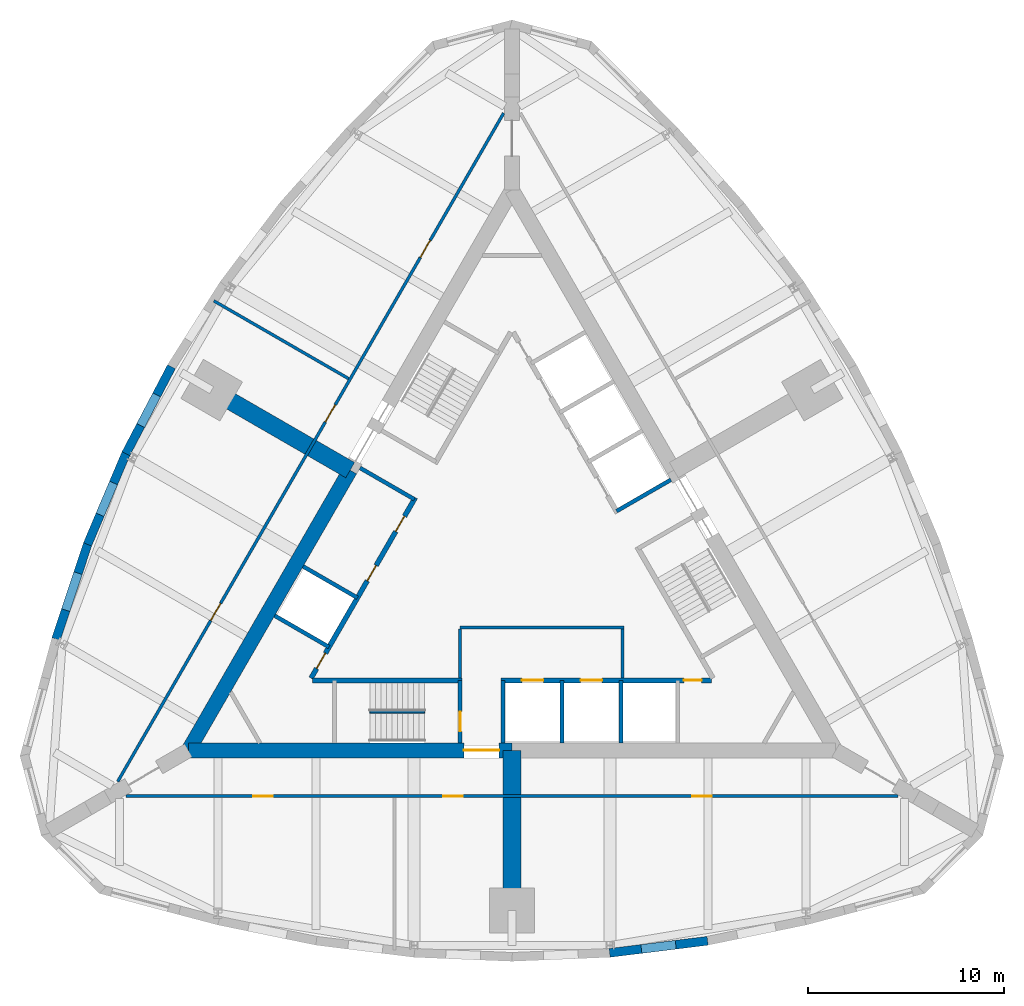
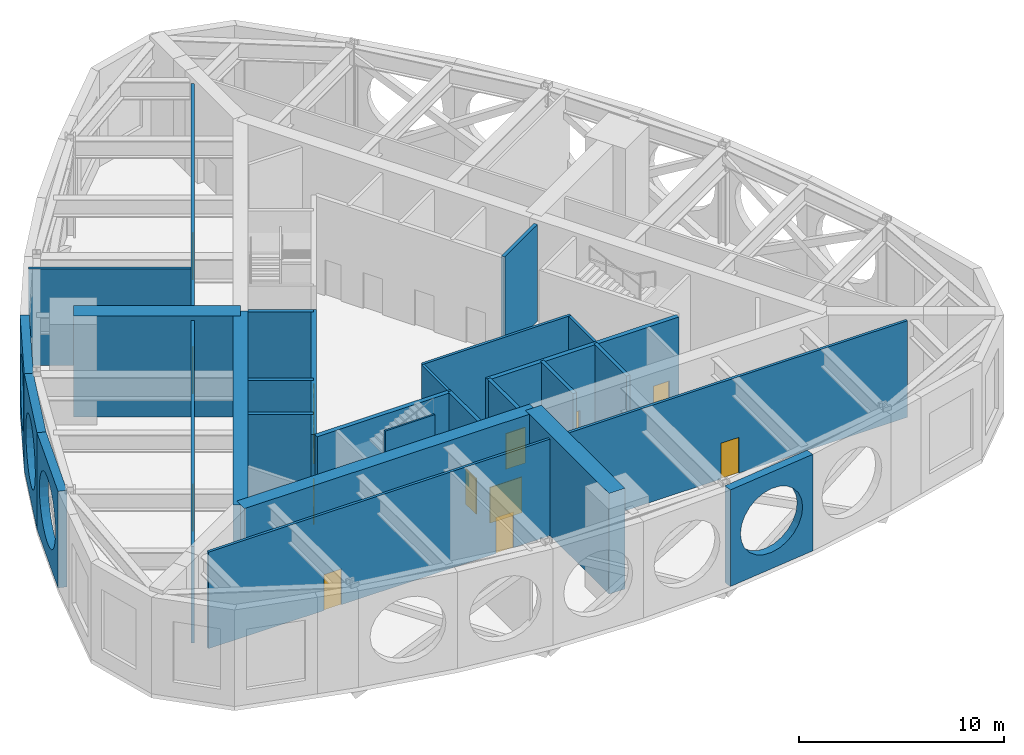
# One storey, part 3 of 7: 26 walls, 14 doors, 14 openings.
"""IFC4 building model written with IfcOpenShell, lengths in metres."""

from ifc_helpers import new_model, si_unit, direction, frame, frame_2d, origin, place, context, subcontext, project, spatial, polyline, rectangle, outline, extrude, material, layer, layer_set, type_object, element, fill, save


model = new_model("IFC4")

# Units and contexts
model_context = context("Model", 3, precision=1e-05, world=origin(), true_north=direction((0.0, 1.0)))
body_context = subcontext(model_context, "Body", "Model", "MODEL_VIEW")
ifc_project = project(units=[si_unit("LENGTHUNIT", "METRE"), si_unit("AREAUNIT", "SQUARE_METRE"), si_unit("VOLUMEUNIT", "CUBIC_METRE"), si_unit("PLANEANGLEUNIT", "RADIAN"), si_unit("MASSUNIT", "GRAM", prefix="KILO")], contexts=[model_context])

# Site, building, storey
site_placement = place(None, origin())
site = spatial("IfcSite", under=ifc_project, at=site_placement, CompositionType="ELEMENT")
building_placement = place(site_placement, origin())
building = spatial("IfcBuilding", under=site, at=building_placement, Name="Trikona Tower", CompositionType="ELEMENT")
storey_placement = place(building_placement, frame((0.0, 0.0, 233.300048828125)))
storey = spatial("IfcBuildingStorey", under=building, at=storey_placement, Name="L62", CompositionType="ELEMENT", Elevation=233.300048828125)

# Walls
ifc_material_1 = material(Name="Brick-faced precast concrete with louvred openings", Category="masonry")
ifc_layer_1 = layer(ifc_material_1, 0.449951171875)
ifc_layer_set_1 = layer_set([ifc_layer_1], Name="Brick-faced plant wall 450")
wall_type_1 = type_object("IfcWallType", Name="Brick-faced plant wall 450", PredefinedType="SOLIDWALL", material=ifc_layer_set_1)
wall_1_placement = place(storey_placement, frame((4.972412109375, -19.8486328125, 0.0), z_axis=(0.0, 0.0, 1.0), x_axis=(0.992455772574, 0.122603178936, 0.0)))
element("IfcWall", 1, at=wall_1_placement, inside=storey, type_object=wall_type_1, Name="External wall L62-05", PredefinedType="SOLIDWALL", context=body_context, shape_type="SweptSolid", body=[
    extrude(outline(polyline([(0.0, 0.0), (5.0380859375, 0.0), (5.0380859375, 5.75), (0.0, 5.75), (0.0, 0.0)]), holes=[polyline([(4.4189453125, 2.875), (4.354248046875, 3.36669921875), (4.16455078125, 3.824951171875), (3.862548828125, 4.218505859375), (3.468994140625, 4.520263671875), (3.0107421875, 4.710205078125), (2.51904296875, 4.77490234375), (2.027099609375, 4.710205078125), (1.569091796875, 4.520263671875), (1.175537109375, 4.218505859375), (0.87353515625, 3.824951171875), (0.68359375, 3.36669921875), (0.618896484375, 2.875), (0.68359375, 2.383056640625), (0.87353515625, 1.925048828125), (1.175537109375, 1.531494140625), (1.569091796875, 1.2294921875), (2.027099609375, 1.03955078125), (2.51904296875, 0.974853515625), (3.0107421875, 1.03955078125), (3.468994140625, 1.2294921875), (3.862548828125, 1.531494140625), (4.16455078125, 1.925048828125), (4.354248046875, 2.383056640625), (4.4189453125, 2.875)])]), frame((0.0, 0.22509765625, 0.0), z_axis=(0.0, -1.0, 0.0), x_axis=(1.0, 0.0, 0.0)), (0.0, 0.0, 1.0), 0.449951171875),
])
wall_2_placement = place(storey_placement, frame((-17.36181640625, 10.034423828125, 0.0), z_axis=(0.0, 0.0, 1.0), x_axis=(-0.463976002579, -0.885847768542, 0.0)))
element("IfcWall", 2, at=wall_2_placement, inside=storey, type_object=wall_type_1, Name="External wall L62-28", PredefinedType="SOLIDWALL", context=body_context, shape_type="SweptSolid", body=[
    extrude(outline(polyline([(0.0, 0.0), (5.004150390625, 0.0), (5.004150390625, 5.75), (0.0, 5.75), (0.0, 0.0)]), holes=[polyline([(4.402099609375, 2.875), (4.33740234375, 3.36669921875), (4.1474609375, 3.824951171875), (3.845703125, 4.218505859375), (3.4521484375, 4.520263671875), (2.993896484375, 4.710205078125), (2.502197265625, 4.77490234375), (2.01025390625, 4.710205078125), (1.552001953125, 4.520263671875), (1.15869140625, 4.218505859375), (0.856689453125, 3.824951171875), (0.666748046875, 3.36669921875), (0.60205078125, 2.875), (0.666748046875, 2.383056640625), (0.856689453125, 1.925048828125), (1.15869140625, 1.531494140625), (1.552001953125, 1.2294921875), (2.01025390625, 1.03955078125), (2.502197265625, 0.974853515625), (2.993896484375, 1.03955078125), (3.4521484375, 1.2294921875), (3.845703125, 1.531494140625), (4.1474609375, 1.925048828125), (4.33740234375, 2.383056640625), (4.402099609375, 2.875)])]), frame((0.0, 0.22509765625, 0.0), z_axis=(0.0, -1.0, 0.0), x_axis=(1.0, 0.0, 0.0)), (0.0, 0.0, 1.0), 0.449951171875),
])
wall_3_placement = place(storey_placement, frame((-19.675537109375, 5.6181640625, 0.0), z_axis=(0.0, 0.0, 1.0), x_axis=(-0.390038319149, -0.920798625974, 0.0)))
element("IfcWall", 3, at=wall_3_placement, inside=storey, type_object=wall_type_1, Name="External wall L62-29", PredefinedType="SOLIDWALL", context=body_context, shape_type="SweptSolid", body=[
    extrude(outline(polyline([(0.0, 0.0), (5.0380859375, 0.0), (5.0380859375, 5.75), (0.0, 5.75), (0.0, 0.0)]), holes=[polyline([(4.4189453125, 2.875), (4.354248046875, 3.36669921875), (4.16455078125, 3.824951171875), (3.862548828125, 4.218505859375), (3.468994140625, 4.520263671875), (3.0107421875, 4.710205078125), (2.51904296875, 4.77490234375), (2.02734375, 4.710205078125), (1.569091796875, 4.520263671875), (1.175537109375, 4.218505859375), (0.87353515625, 3.824951171875), (0.683837890625, 3.36669921875), (0.618896484375, 2.875), (0.683837890625, 2.383056640625), (0.87353515625, 1.925048828125), (1.175537109375, 1.531494140625), (1.569091796875, 1.2294921875), (2.02734375, 1.03955078125), (2.51904296875, 0.974853515625), (3.0107421875, 1.03955078125), (3.468994140625, 1.2294921875), (3.862548828125, 1.531494140625), (4.16455078125, 1.925048828125), (4.354248046875, 2.383056640625), (4.4189453125, 2.875)])]), frame((0.0, 0.22509765625, 0.0), z_axis=(0.0, -1.0, 0.0), x_axis=(1.0, 0.0, 0.0)), (0.0, 0.0, 1.0), 0.449951171875),
])
wall_4_placement = place(storey_placement, frame((-21.634521484375, 0.99609375, 0.0), z_axis=(0.0, 0.0, 1.0), x_axis=(-0.315065402268, -0.949069961749, 0.0)))
element("IfcWall", 4, at=wall_4_placement, inside=storey, type_object=wall_type_1, Name="External wall L62-30", PredefinedType="SOLIDWALL", context=body_context, shape_type="SweptSolid", body=[
    extrude(outline(polyline([(0.0, 0.0), (5.10498046875, 0.0), (5.10498046875, 5.75), (0.0, 5.75), (0.0, 0.0)]), holes=[polyline([(4.50244140625, 2.875), (4.43603515625, 3.379638671875), (4.2412109375, 3.849853515625), (3.931396484375, 4.25390625), (3.52734375, 4.563720703125), (3.05712890625, 4.758544921875), (2.552490234375, 4.824951171875), (2.047607421875, 4.758544921875), (1.577392578125, 4.563720703125), (1.173583984375, 4.25390625), (0.86376953125, 3.849853515625), (0.6689453125, 3.379638671875), (0.602294921875, 2.875), (0.6689453125, 2.370361328125), (0.86376953125, 1.89990234375), (1.173583984375, 1.49609375), (1.577392578125, 1.186279296875), (2.047607421875, 0.991455078125), (2.552490234375, 0.925048828125), (3.05712890625, 0.991455078125), (3.52734375, 1.186279296875), (3.931396484375, 1.49609375), (4.2412109375, 1.89990234375), (4.43603515625, 2.370361328125), (4.50244140625, 2.875)])]), frame((0.0, 0.22509765625, 0.0), z_axis=(0.0, -1.0, 0.0), x_axis=(1.0, 0.0, 0.0)), (0.0, 0.0, 1.0), 0.449951171875),
])

# Wall, opening, door
ifc_material_2 = material(Name="Concrete f'c 10000 psi", Category="concrete")
ifc_layer_2 = layer(ifc_material_2, 0.75)
ifc_layer_set_2 = layer_set([ifc_layer_2], Name="Core wall 750")
wall_type_2 = type_object("IfcWallType", Name="Core wall 750", PredefinedType="SHEAR", material=ifc_layer_set_2)
wall_5_placement = place(storey_placement, frame((-16.5, -9.5263671875, 0.0), z_axis=(0.0, 0.0, 1.0), x_axis=(1.0, 0.0, 0.0)))
wall_5 = element("IfcWall", 5, at=wall_5_placement, inside=storey, type_object=wall_type_2, Name="Core wall A1", PredefinedType="SHEAR", context=body_context, shape_type="SweptSolid", body=[
    extrude(rectangle(XDim=16.5, YDim=0.75, at=frame_2d((8.25, 0.0))), origin(), (0.0, 0.0, 1.0), 6.0),
])
opening_1_placement = place(wall_5_placement, frame((14.050048828125, 0.0, 0.0)))
opening_1 = element("IfcOpeningElement", 6, at=opening_1_placement, cuts=wall_5, Name="Opening D6", PredefinedType="OPENING", context=body_context, shape_type="SweptSolid", body=[
    extrude(rectangle(XDim=1.800048828125, YDim=2.1298828125, at=frame_2d((0.89990234375, 1.06494140625))), frame((0.0, 0.385009765625, 0.0), z_axis=(0.0, -1.0, 0.0), x_axis=(1.0, 0.0, 0.0)), (0.0, 0.0, 1.0), 0.77001953125),
])
ifc_material_3 = material(Name="Hollow metal door and frame", Category="steel")
door_type_1 = type_object("IfcDoorType", Name="Lobby door pair 1800x2130", OperationType="DOUBLE_DOOR_SINGLE_SWING", PredefinedType="DOOR", material=ifc_material_3)
door_1_placement = place(opening_1_placement, origin())
door_1 = element("IfcDoor", 7, at=door_1_placement, inside=storey, type_object=door_type_1, Name="Fire service lift lobby door", OperationType="DOUBLE_DOOR_SINGLE_SWING", OverallHeight=2.1298828125, OverallWidth=1.800048828125, PredefinedType="DOOR", context=body_context, shape_type="SweptSolid", body=[
    extrude(rectangle(XDim=1.800048828125, YDim=2.1298828125, at=frame_2d((0.89990234375, 1.06494140625))), frame((0.0, 0.02490234375, 0.0), z_axis=(0.0, -1.0, 0.0), x_axis=(1.0, 0.0, 0.0)), (0.0, 0.0, 1.0), 0.050048828125),
])
fill(opening_1, door_1)

# Wall
wall_6_placement = place(storey_placement, frame((-8.25, 4.76318359375, 0.0), z_axis=(0.0, 0.0, 1.0), x_axis=(-0.499996545922, -0.866027397988, 0.0)))
element("IfcWall", 8, at=wall_6_placement, inside=storey, type_object=wall_type_2, Name="Core wall C2", PredefinedType="SHEAR", context=body_context, shape_type="SweptSolid", body=[
    extrude(rectangle(XDim=16.5, YDim=0.75, at=frame_2d((8.25, 0.0))), origin(), (0.0, 0.0, 1.0), 6.0),
])

# Wall, openings, doors
ifc_material_4 = material(Name="Metal stud and gypsum board, 1-hour", Category="gypsum")
ifc_layer_3 = layer(ifc_material_4, 0.14990234375)
ifc_layer_set_3 = layer_set([ifc_layer_3], Name="Corridor wall 150")
wall_type_3 = type_object("IfcWallType", Name="Corridor wall 150", PredefinedType="PARTITIONING", material=ifc_layer_set_3)
wall_7_placement = place(storey_placement, frame((-19.677001953125, -11.851318359375, 0.0), z_axis=(0.0, 0.0, 1.0), x_axis=(1.0, 0.0, 0.0)))
wall_7 = element("IfcWall", 9, at=wall_7_placement, inside=storey, type_object=wall_type_3, Name="Corridor wall L62-1", PredefinedType="PARTITIONING", context=body_context, shape_type="SweptSolid", body=[
    extrude(rectangle(XDim=39.35400390625, YDim=0.14990234375, at=frame_2d((19.677001953125, 0.0))), origin(), (0.0, 0.0, 1.0), 5.75),
])
opening_2_placement = place(wall_7_placement, frame((6.488525390625, 0.0, 0.0)))
opening_2 = element("IfcOpeningElement", 10, at=opening_2_placement, cuts=wall_7, Name="Opening D3", PredefinedType="OPENING", context=body_context, shape_type="SweptSolid", body=[
    extrude(rectangle(XDim=1.0, YDim=2.1298828125, at=frame_2d((0.5, 1.06494140625))), frame((0.0, 0.0849609375, 0.0), z_axis=(0.0, -1.0, 0.0), x_axis=(1.0, 0.0, 0.0)), (0.0, 0.0, 1.0), 0.169921875),
])
opening_3_placement = place(wall_7_placement, frame((16.177001953125, 0.0, 0.0)))
opening_3 = element("IfcOpeningElement", 11, at=opening_3_placement, cuts=wall_7, Name="Opening D3", PredefinedType="OPENING", context=body_context, shape_type="SweptSolid", body=[
    extrude(rectangle(XDim=1.0, YDim=2.1298828125, at=frame_2d((0.5, 1.06494140625))), frame((0.0, 0.0849609375, 0.0), z_axis=(0.0, -1.0, 0.0), x_axis=(1.0, 0.0, 0.0)), (0.0, 0.0, 1.0), 0.169921875),
])
opening_4_placement = place(wall_7_placement, frame((28.865478515625, 0.0, 0.0)))
opening_4 = element("IfcOpeningElement", 12, at=opening_4_placement, cuts=wall_7, Name="Opening D3", PredefinedType="OPENING", context=body_context, shape_type="SweptSolid", body=[
    extrude(rectangle(XDim=1.0, YDim=2.1298828125, at=frame_2d((0.5, 1.06494140625))), frame((0.0, 0.0849609375, 0.0), z_axis=(0.0, -1.0, 0.0), x_axis=(1.0, 0.0, 0.0)), (0.0, 0.0, 1.0), 0.169921875),
])
ifc_material_5 = material(Name="Steel door frame with solid-core timber leaf", Category="steel")
door_type_2 = type_object("IfcDoorType", Name="Room door 1000x2130", OperationType="SINGLE_SWING_LEFT", PredefinedType="DOOR", material=ifc_material_5)
door_2_placement = place(opening_2_placement, origin())
door_2 = element("IfcDoor", 13, at=door_2_placement, inside=storey, type_object=door_type_2, Name="Door Air handling plant", OperationType="SINGLE_SWING_LEFT", OverallHeight=2.1298828125, OverallWidth=1.0, PredefinedType="DOOR", context=body_context, shape_type="SweptSolid", body=[
    extrude(rectangle(XDim=1.0, YDim=2.1298828125, at=frame_2d((0.5, 1.06494140625))), frame((0.0, 0.02490234375, 0.0), z_axis=(0.0, -1.0, 0.0), x_axis=(1.0, 0.0, 0.0)), (0.0, 0.0, 1.0), 0.050048828125),
])
fill(opening_2, door_2)
door_3_placement = place(opening_3_placement, origin())
door_3 = element("IfcDoor", 14, at=door_3_placement, inside=storey, type_object=door_type_2, Name="Door Electrical switch room", OperationType="SINGLE_SWING_RIGHT", OverallHeight=2.1298828125, OverallWidth=1.0, PredefinedType="DOOR", context=body_context, shape_type="SweptSolid", body=[
    extrude(rectangle(XDim=1.0, YDim=2.1298828125, at=frame_2d((0.5, 1.06494140625))), frame((0.0, 0.02490234375, 0.0), z_axis=(0.0, -1.0, 0.0), x_axis=(1.0, 0.0, 0.0)), (0.0, 0.0, 1.0), 0.050048828125),
])
fill(opening_3, door_3)
door_4_placement = place(opening_4_placement, origin())
door_4 = element("IfcDoor", 15, at=door_4_placement, inside=storey, type_object=door_type_2, Name="Door Refuge area", OperationType="SINGLE_SWING_LEFT", OverallHeight=2.1298828125, OverallWidth=1.0, PredefinedType="DOOR", context=body_context, shape_type="SweptSolid", body=[
    extrude(rectangle(XDim=1.0, YDim=2.1298828125, at=frame_2d((0.5, 1.06494140625))), frame((0.0, 0.02490234375, 0.0), z_axis=(0.0, -1.0, 0.0), x_axis=(1.0, 0.0, 0.0)), (0.0, 0.0, 1.0), 0.050048828125),
])
fill(opening_4, door_4)

wall_8_placement = place(storey_placement, frame((-0.425048828125, 22.96630859375, 0.0), z_axis=(0.0, 0.0, 1.0), x_axis=(-0.500000265775, -0.866025250339, 0.0)))
wall_8 = element("IfcWall", 16, at=wall_8_placement, inside=storey, type_object=wall_type_3, Name="Corridor wall L62-3", PredefinedType="PARTITIONING", context=body_context, shape_type="SweptSolid", body=[
    extrude(rectangle(XDim=39.35400390625, YDim=0.14990234375, at=frame_2d((19.677001953125, 0.0))), origin(), (0.0, 0.0, 1.0), 5.75),
])
opening_5_placement = place(wall_8_placement, frame((7.488525390625, 0.0, 0.0)))
opening_5 = element("IfcOpeningElement", 17, at=opening_5_placement, cuts=wall_8, Name="Opening D3", PredefinedType="OPENING", context=body_context, shape_type="SweptSolid", body=[
    extrude(rectangle(XDim=1.0, YDim=2.1298828125, at=frame_2d((0.5, 1.06494140625))), frame((0.0, 0.0849609375, 0.0), z_axis=(0.0, -1.0, 0.0), x_axis=(1.0, 0.0, 0.0)), (0.0, 0.0, 1.0), 0.169921875),
])
opening_6_placement = place(wall_8_placement, frame((17.177001953125, 0.0, 0.0)))
opening_6 = element("IfcOpeningElement", 18, at=opening_6_placement, cuts=wall_8, Name="Opening D3", PredefinedType="OPENING", context=body_context, shape_type="SweptSolid", body=[
    extrude(rectangle(XDim=1.0, YDim=2.1298828125, at=frame_2d((0.5, 1.06494140625))), frame((0.0, 0.0849609375, 0.0), z_axis=(0.0, -1.0, 0.0), x_axis=(1.0, 0.0, 0.0)), (0.0, 0.0, 1.0), 0.169921875),
])
opening_7_placement = place(wall_8_placement, frame((28.865478515625, 0.0, 0.0)))
opening_7 = element("IfcOpeningElement", 19, at=opening_7_placement, cuts=wall_8, Name="Opening D3", PredefinedType="OPENING", context=body_context, shape_type="SweptSolid", body=[
    extrude(rectangle(XDim=1.0, YDim=2.1298828125, at=frame_2d((0.5, 1.06494140625))), frame((0.0, 0.0849609375, 0.0), z_axis=(0.0, -1.0, 0.0), x_axis=(1.0, 0.0, 0.0)), (0.0, 0.0, 1.0), 0.169921875),
])
door_5_placement = place(opening_5_placement, origin())
door_5 = element("IfcDoor", 20, at=door_5_placement, inside=storey, type_object=door_type_2, Name="Door Heat exchanger plant room", OperationType="SINGLE_SWING_LEFT", OverallHeight=2.1298828125, OverallWidth=1.0, PredefinedType="DOOR", context=body_context, shape_type="SweptSolid", body=[
    extrude(rectangle(XDim=1.0, YDim=2.1298828125, at=frame_2d((0.5, 1.06494140625))), frame((0.0, 0.02490234375, 0.0), z_axis=(0.0, -1.0, 0.0), x_axis=(1.0, 0.0, 0.0)), (0.0, 0.0, 1.0), 0.050048828125),
])
fill(opening_5, door_5)
door_6_placement = place(opening_6_placement, origin())
door_6 = element("IfcDoor", 21, at=door_6_placement, inside=storey, type_object=door_type_2, Name="Door Smoke control fan plant room", OperationType="SINGLE_SWING_RIGHT", OverallHeight=2.1298828125, OverallWidth=1.0, PredefinedType="DOOR", context=body_context, shape_type="SweptSolid", body=[
    extrude(rectangle(XDim=1.0, YDim=2.1298828125, at=frame_2d((0.5, 1.06494140625))), frame((0.0, 0.02490234375, 0.0), z_axis=(0.0, -1.0, 0.0), x_axis=(1.0, 0.0, 0.0)), (0.0, 0.0, 1.0), 0.050048828125),
])
fill(opening_6, door_6)
door_7_placement = place(opening_7_placement, origin())
door_7 = element("IfcDoor", 22, at=door_7_placement, inside=storey, type_object=door_type_2, Name="Door Plant store", OperationType="SINGLE_SWING_LEFT", OverallHeight=2.1298828125, OverallWidth=1.0, PredefinedType="DOOR", context=body_context, shape_type="SweptSolid", body=[
    extrude(rectangle(XDim=1.0, YDim=2.1298828125, at=frame_2d((0.5, 1.06494140625))), frame((0.0, 0.02490234375, 0.0), z_axis=(0.0, -1.0, 0.0), x_axis=(1.0, 0.0, 0.0)), (0.0, 0.0, 1.0), 0.050048828125),
])
fill(opening_7, door_7)

# Wall
ifc_material_6 = material(Name="Concrete f'c 8000 psi", Category="concrete")
ifc_layer_4 = layer(ifc_material_6, 0.25)
ifc_layer_set_4 = layer_set([ifc_layer_4], Name="Hub wall 250")
wall_type_4 = type_object("IfcWallType", Name="Hub wall 250", PredefinedType="SOLIDWALL", material=ifc_layer_set_4)
wall_9_placement = place(storey_placement, frame((-10.182861328125, -5.951416015625, 0.0), z_axis=(0.0, 0.0, 1.0), x_axis=(1.0, 0.0, 0.0)))
element("IfcWall", 23, at=wall_9_placement, inside=storey, type_object=wall_type_4, Name="Lift lobby wall A1", PredefinedType="SOLIDWALL", context=body_context, shape_type="SweptSolid", body=[
    extrude(rectangle(XDim=7.6328125, YDim=0.25, at=frame_2d((3.81640625, 0.0))), origin(), (0.0, 0.0, 1.0), 5.75),
])

# Wall, openings, doors
wall_10_placement = place(storey_placement, frame((-0.550048828125, -5.951416015625, 0.0), z_axis=(0.0, 0.0, 1.0), x_axis=(1.0, 0.0, 0.0)))
wall_10 = element("IfcWall", 24, at=wall_10_placement, inside=storey, type_object=wall_type_4, Name="Lift lobby wall A2", PredefinedType="SOLIDWALL", context=body_context, shape_type="SweptSolid", body=[
    extrude(rectangle(XDim=10.73291015625, YDim=0.25, at=frame_2d((5.366455078125, 0.0))), origin(), (0.0, 0.0, 1.0), 5.75),
])
opening_8_placement = place(wall_10_placement, frame((9.31396484375, 0.0, 0.0)))
opening_8 = element("IfcOpeningElement", 25, at=opening_8_placement, cuts=wall_10, Name="Opening D14", PredefinedType="OPENING", context=body_context, shape_type="SweptSolid", body=[
    extrude(rectangle(XDim=0.89990234375, YDim=2.1298828125, at=frame_2d((0.449951171875, 1.06494140625))), frame((0.0, 0.135009765625, 0.0), z_axis=(0.0, -1.0, 0.0), x_axis=(1.0, 0.0, 0.0)), (0.0, 0.0, 1.0), 0.27001953125),
])
opening_9_placement = place(wall_10_placement, frame((1.050048828125, 0.0, 0.0)))
opening_9 = element("IfcOpeningElement", 26, at=opening_9_placement, cuts=wall_10, Name="Opening LD", PredefinedType="OPENING", context=body_context, shape_type="SweptSolid", body=[
    extrude(rectangle(XDim=1.10009765625, YDim=2.1298828125, at=frame_2d((0.550048828125, 1.06494140625))), frame((0.0, 0.135009765625, 0.0), z_axis=(0.0, -1.0, 0.0), x_axis=(1.0, 0.0, 0.0)), (0.0, 0.0, 1.0), 0.27001953125),
])
opening_10_placement = place(wall_10_placement, frame((4.050048828125, 0.0, 0.0)))
opening_10 = element("IfcOpeningElement", 27, at=opening_10_placement, cuts=wall_10, Name="Opening LD", PredefinedType="OPENING", context=body_context, shape_type="SweptSolid", body=[
    extrude(rectangle(XDim=1.10009765625, YDim=2.1298828125, at=frame_2d((0.550048828125, 1.06494140625))), frame((0.0, 0.135009765625, 0.0), z_axis=(0.0, -1.0, 0.0), x_axis=(1.0, 0.0, 0.0)), (0.0, 0.0, 1.0), 0.27001953125),
])
ifc_material_7 = material(Name="Stainless steel lift landing door", Category="steel")
door_type_3 = type_object("IfcDoorType", Name="Lift landing door 1100x2130", OperationType="DOUBLE_DOOR_SLIDING", PredefinedType="USERDEFINED", material=ifc_material_7)
door_8_placement = place(opening_9_placement, origin())
door_8 = element("IfcDoor", 28, at=door_8_placement, inside=storey, type_object=door_type_3, Name="Lift landing door FF1", ObjectType="LIFT LANDING DOOR", OperationType="DOUBLE_DOOR_SLIDING", OverallHeight=2.1298828125, OverallWidth=1.10009765625, PredefinedType="USERDEFINED", context=body_context, shape_type="SweptSolid", body=[
    extrude(rectangle(XDim=1.10009765625, YDim=2.1298828125, at=frame_2d((0.550048828125, 1.06494140625))), frame((0.0, 0.02490234375, 0.0), z_axis=(0.0, -1.0, 0.0), x_axis=(1.0, 0.0, 0.0)), (0.0, 0.0, 1.0), 0.050048828125),
])
fill(opening_9, door_8)
door_9_placement = place(opening_10_placement, origin())
door_9 = element("IfcDoor", 29, at=door_9_placement, inside=storey, type_object=door_type_3, Name="Lift landing door FF2", ObjectType="LIFT LANDING DOOR", OperationType="DOUBLE_DOOR_SLIDING", OverallHeight=2.1298828125, OverallWidth=1.10009765625, PredefinedType="USERDEFINED", context=body_context, shape_type="SweptSolid", body=[
    extrude(rectangle(XDim=1.10009765625, YDim=2.1298828125, at=frame_2d((0.550048828125, 1.06494140625))), frame((0.0, 0.02490234375, 0.0), z_axis=(0.0, -1.0, 0.0), x_axis=(1.0, 0.0, 0.0)), (0.0, 0.0, 1.0), 0.050048828125),
])
fill(opening_10, door_9)
ifc_material_8 = material(Name="Hollow metal door and frame", Category="steel")
door_type_4 = type_object("IfcDoorType", Name="Service room door 900x2130", OperationType="SINGLE_SWING_LEFT", PredefinedType="DOOR", material=ifc_material_8)
door_10_placement = place(opening_8_placement, origin())
door_10 = element("IfcDoor", 30, at=door_10_placement, inside=storey, type_object=door_type_4, Name="Door Electrical room ELR", OperationType="SINGLE_SWING_RIGHT", OverallHeight=2.1298828125, OverallWidth=0.89990234375, PredefinedType="DOOR", context=body_context, shape_type="SweptSolid", body=[
    extrude(rectangle(XDim=0.89990234375, YDim=2.1298828125, at=frame_2d((0.449951171875, 1.06494140625))), frame((0.0, 0.02490234375, 0.0), z_axis=(0.0, -1.0, 0.0), x_axis=(1.0, 0.0, 0.0)), (0.0, 0.0, 1.0), 0.050048828125),
])
fill(opening_8, door_10)

wall_11_placement = place(storey_placement, frame((-4.928955078125, 3.365478515625, 0.0), z_axis=(0.0, 0.0, 1.0), x_axis=(-0.499991433582, -0.866030349552, 0.0)))
wall_11 = element("IfcWall", 31, at=wall_11_placement, inside=storey, type_object=wall_type_4, Name="Lift lobby wall C2", PredefinedType="SOLIDWALL", context=body_context, shape_type="SweptSolid", body=[
    extrude(rectangle(XDim=10.633056640625, YDim=0.25, at=frame_2d((5.31640625, 0.0))), origin(), (0.0, 0.0, 1.0), 5.75),
])
opening_11_placement = place(wall_11_placement, frame((9.1640625, 0.0, 0.0)))
opening_11 = element("IfcOpeningElement", 32, at=opening_11_placement, cuts=wall_11, Name="Opening D14", PredefinedType="OPENING", context=body_context, shape_type="SweptSolid", body=[
    extrude(rectangle(XDim=0.89990234375, YDim=2.1298828125, at=frame_2d((0.449951171875, 1.06494140625))), frame((0.0, 0.135009765625, 0.0), z_axis=(0.0, -1.0, 0.0), x_axis=(1.0, 0.0, 0.0)), (0.0, 0.0, 1.0), 0.27001953125),
])
opening_12_placement = place(wall_11_placement, frame((1.10009765625, 0.0, 0.0)))
opening_12 = element("IfcOpeningElement", 33, at=opening_12_placement, cuts=wall_11, Name="Opening D14", PredefinedType="OPENING", context=body_context, shape_type="SweptSolid", body=[
    extrude(rectangle(XDim=0.89990234375, YDim=2.1298828125, at=frame_2d((0.449951171875, 1.06494140625))), frame((0.0, 0.135009765625, 0.0), z_axis=(0.0, -1.0, 0.0), x_axis=(1.0, 0.0, 0.0)), (0.0, 0.0, 1.0), 0.27001953125),
])
opening_13_placement = place(wall_11_placement, frame((4.0, 0.0, 0.0)))
opening_13 = element("IfcOpeningElement", 34, at=opening_13_placement, cuts=wall_11, Name="Opening D14", PredefinedType="OPENING", context=body_context, shape_type="SweptSolid", body=[
    extrude(rectangle(XDim=0.89990234375, YDim=2.1298828125, at=frame_2d((0.449951171875, 1.06494140625))), frame((0.0, 0.135009765625, 0.0), z_axis=(0.0, -1.0, 0.0), x_axis=(1.0, 0.0, 0.0)), (0.0, 0.0, 1.0), 0.27001953125),
])
door_11_placement = place(opening_11_placement, origin())
door_11 = element("IfcDoor", 35, at=door_11_placement, inside=storey, type_object=door_type_4, Name="Door IT and communications room ITC", OperationType="SINGLE_SWING_RIGHT", OverallHeight=2.1298828125, OverallWidth=0.89990234375, PredefinedType="DOOR", context=body_context, shape_type="SweptSolid", body=[
    extrude(rectangle(XDim=0.89990234375, YDim=2.1298828125, at=frame_2d((0.449951171875, 1.06494140625))), frame((0.0, 0.02490234375, 0.0), z_axis=(0.0, -1.0, 0.0), x_axis=(1.0, 0.0, 0.0)), (0.0, 0.0, 1.0), 0.050048828125),
])
fill(opening_11, door_11)
door_12_placement = place(opening_12_placement, origin())
door_12 = element("IfcDoor", 36, at=door_12_placement, inside=storey, type_object=door_type_4, Name="Door Plant store PST1", OperationType="SINGLE_SWING_LEFT", OverallHeight=2.1298828125, OverallWidth=0.89990234375, PredefinedType="DOOR", context=body_context, shape_type="SweptSolid", body=[
    extrude(rectangle(XDim=0.89990234375, YDim=2.1298828125, at=frame_2d((0.449951171875, 1.06494140625))), frame((0.0, 0.02490234375, 0.0), z_axis=(0.0, -1.0, 0.0), x_axis=(1.0, 0.0, 0.0)), (0.0, 0.0, 1.0), 0.050048828125),
])
fill(opening_12, door_12)
door_13_placement = place(opening_13_placement, origin())
door_13 = element("IfcDoor", 37, at=door_13_placement, inside=storey, type_object=door_type_4, Name="Door Plant store PST1", OperationType="SINGLE_SWING_RIGHT", OverallHeight=2.1298828125, OverallWidth=0.89990234375, PredefinedType="DOOR", context=body_context, shape_type="SweptSolid", body=[
    extrude(rectangle(XDim=0.89990234375, YDim=2.1298828125, at=frame_2d((0.449951171875, 1.06494140625))), frame((0.0, 0.02490234375, 0.0), z_axis=(0.0, -1.0, 0.0), x_axis=(1.0, 0.0, 0.0)), (0.0, 0.0, 1.0), 0.050048828125),
])
fill(opening_13, door_13)

# Walls
ifc_material_9 = material(Name="Metal stud and gypsum board, 2-hour shaft wall", Category="gypsum")
ifc_layer_5 = layer(ifc_material_9, 0.14990234375)
ifc_layer_set_5 = layer_set([ifc_layer_5], Name="Lobby wall 150")
wall_type_5 = type_object("IfcWallType", Name="Lobby wall 150", PredefinedType="PARTITIONING", material=ifc_layer_set_5)
wall_12_placement = place(storey_placement, frame((-2.64990234375, -3.251220703125, 0.0), z_axis=(0.0, 0.0, 1.0), x_axis=(1.0, 0.0, 0.0)))
element("IfcWall", 38, at=wall_12_placement, inside=storey, type_object=wall_type_5, Name="Fire service lift lobby wall 1", PredefinedType="PARTITIONING", context=body_context, shape_type="SweptSolid", body=[
    extrude(rectangle(XDim=8.349853515625, YDim=0.14990234375, at=frame_2d((4.1748046875, 0.0))), origin(), (0.0, 0.0, 1.0), 5.75),
])
for number, where, z_axis, x_axis, name in (
    (39, (-2.64990234375, -5.826416015625, 0.0), (0.0, 0.0, 1.0), (0.0, 1.0, 0.0), "Fire service lift lobby wall 2"),
    (40, (5.625, -5.826416015625, 0.0), (0.0, 0.0, 1.0), (0.0, 1.0, 0.0), "Fire service lift lobby wall 3"),
):
    element("IfcWall", number, at=place(storey_placement, frame(where, z_axis=z_axis, x_axis=x_axis)), inside=storey, type_object=wall_type_5, Name=name, PredefinedType="PARTITIONING", context=body_context, shape_type="SweptSolid", body=[
        extrude(rectangle(XDim=2.5, YDim=0.14990234375, at=frame_2d((1.25, 0.0))), origin(), (0.0, 0.0, 1.0), 5.75),
    ])
ifc_material_10 = material(Name="Concrete f'c 10000 psi", Category="concrete")
ifc_layer_6 = layer(ifc_material_10, 0.89990234375)
ifc_layer_set_6 = layer_set([ifc_layer_6], Name="Outrigger wall 900")
wall_type_6 = type_object("IfcWallType", Name="Outrigger wall 900", PredefinedType="SHEAR", material=ifc_layer_set_6)
wall_13_placement = place(storey_placement, frame((0.0, -9.5263671875, 0.0), z_axis=(0.0, 0.0, 1.0), x_axis=(0.0, -1.0, 0.0)))
element("IfcWall", 41, at=wall_13_placement, inside=storey, type_object=wall_type_6, Name="Outrigger wall 1", PredefinedType="SHEAR", context=body_context, shape_type="SweptSolid", body=[
    extrude(rectangle(XDim=8.154052734375, YDim=0.89990234375, at=frame_2d((4.0771484375, 0.0))), origin(), (0.0, 0.0, 1.0), 6.0),
])
wall_14_placement = place(storey_placement, frame((-8.25, 4.76318359375, 0.0), z_axis=(0.0, 0.0, 1.0), x_axis=(-0.866023543838, 0.500003221507, 0.0)))
element("IfcWall", 42, at=wall_14_placement, inside=storey, type_object=wall_type_6, Name="Outrigger wall 3", PredefinedType="SHEAR", context=body_context, shape_type="SweptSolid", body=[
    extrude(rectangle(XDim=8.154296875, YDim=0.89990234375, at=frame_2d((4.0771484375, 0.0))), origin(), (0.0, 0.0, 1.0), 6.0),
])
ifc_material_11 = material(Name="Metal stud and gypsum board, 1-hour acoustic", Category="gypsum")
ifc_layer_7 = layer(ifc_material_11, 0.14990234375)
ifc_layer_set_7 = layer_set([ifc_layer_7], Name="Party wall 150")
wall_type_7 = type_object("IfcWallType", Name="Party wall 150", PredefinedType="PARTITIONING", material=ifc_layer_set_7)
wall_15_placement = place(storey_placement, frame((-8.32861328125, 9.42724609375, 0.0), z_axis=(0.0, 0.0, 1.0), x_axis=(-0.866027296944, 0.499996720937, 0.0)))
element("IfcWall", 43, at=wall_15_placement, inside=storey, type_object=wall_type_7, Name="Partition L62 F3 u-4", PredefinedType="PARTITIONING", context=body_context, shape_type="SweptSolid", body=[
    extrude(rectangle(XDim=7.9365234375, YDim=0.14990234375, at=frame_2d((3.96826171875, 0.0))), origin(), (0.0, 0.0, 1.0), 5.75),
])
ifc_material_12 = material(Name="Concrete f'c 8000 psi", Category="concrete")
ifc_layer_8 = layer(ifc_material_12, 0.199951171875)
ifc_layer_set_8 = layer_set([ifc_layer_8], Name="Shaft wall 200")
wall_type_8 = type_object("IfcWallType", Name="Shaft wall 200", PredefinedType="SOLIDWALL", material=ifc_layer_set_8)
for number, where, z_axis, x_axis, name in (
    (44, (-0.449951171875, -5.951416015625, 0.0), (0.0, 0.0, 1.0), (0.0, -1.0, 0.0), "Shaft wall A3"),
    (45, (2.550048828125, -5.951416015625, 0.0), (0.0, 0.0, 1.0), (0.0, -1.0, 0.0), "Shaft wall A4"),
    (46, (5.550048828125, -5.951416015625, 0.0), (0.0, 0.0, 1.0), (0.0, -1.0, 0.0), "Shaft wall A5"),
):
    element("IfcWall", number, at=place(storey_placement, frame(where, z_axis=z_axis, x_axis=x_axis)), inside=storey, type_object=wall_type_8, Name=name, PredefinedType="SOLIDWALL", context=body_context, shape_type="SweptSolid", body=[
        extrude(rectangle(XDim=3.199951171875, YDim=0.199951171875, at=frame_2d((1.60009765625, 0.0))), origin(), (0.0, 0.0, 1.0), 5.75),
    ])
wall_16_placement = place(storey_placement, frame((5.3291015625, 2.672607421875, 0.0), z_axis=(0.0, 0.0, 1.0), x_axis=(0.866022944154, 0.50000426018, 0.0)))
element("IfcWall", 47, at=wall_16_placement, inside=storey, type_object=wall_type_8, Name="Shaft wall B3", PredefinedType="SOLIDWALL", context=body_context, shape_type="SweptSolid", body=[
    extrude(rectangle(XDim=3.19970703125, YDim=0.199951171875, at=frame_2d((1.599853515625, 0.0))), origin(), (0.0, 0.0, 1.0), 5.75),
])
for number, where, z_axis, x_axis, name in (
    (48, (-4.97900390625, 3.27880859375, 0.0), (0.0, 0.0, 1.0), (-0.866042017984, 0.499971222258, 0.0), "Shaft wall C3"),
    (49, (-7.87890625, -1.744140625, 0.0), (0.0, 0.0, 1.0), (-0.866042017984, 0.499971222258, 0.0), "Shaft wall C5"),
):
    element("IfcWall", number, at=place(storey_placement, frame(where, z_axis=z_axis, x_axis=x_axis)), inside=storey, type_object=wall_type_8, Name=name, PredefinedType="SOLIDWALL", context=body_context, shape_type="SweptSolid", body=[
        extrude(rectangle(XDim=3.199951171875, YDim=0.199951171875, at=frame_2d((1.60009765625, 0.0))), origin(), (0.0, 0.0, 1.0), 5.75),
    ])
wall_17_placement = place(storey_placement, frame((-9.3291015625, -4.255615234375, 0.0), z_axis=(0.0, 0.0, 1.0), x_axis=(-0.866022944154, 0.50000426018, 0.0)))
element("IfcWall", 50, at=wall_17_placement, inside=storey, type_object=wall_type_8, Name="Shaft wall C6", PredefinedType="SOLIDWALL", context=body_context, shape_type="SweptSolid", body=[
    extrude(rectangle(XDim=3.19970703125, YDim=0.199951171875, at=frame_2d((1.599853515625, 0.0))), origin(), (0.0, 0.0, 1.0), 5.75),
])

# Wall, opening, door
ifc_material_13 = material(Name="Concrete f'c 8000 psi", Category="concrete")
ifc_layer_9 = layer(ifc_material_13, 0.199951171875)
ifc_layer_set_9 = layer_set([ifc_layer_9], Name="Shaft wall 200 load-bearing")
wall_type_9 = type_object("IfcWallType", Name="Shaft wall 200 load-bearing", PredefinedType="SOLIDWALL", material=ifc_layer_set_9)
wall_18_placement = place(storey_placement, frame((-2.64990234375, -5.951416015625, 0.0), z_axis=(0.0, 0.0, 1.0), x_axis=(0.0, -1.0, 0.0)))
wall_18 = element("IfcWall", 51, at=wall_18_placement, inside=storey, type_object=wall_type_9, Name="Shaft wall A2", PredefinedType="SOLIDWALL", context=body_context, shape_type="SweptSolid", body=[
    extrude(rectangle(XDim=3.199951171875, YDim=0.199951171875, at=frame_2d((1.60009765625, 0.0))), origin(), (0.0, 0.0, 1.0), 5.75),
])
opening_14_placement = place(wall_18_placement, frame((1.60009765625, 0.0, 0.0)))
opening_14 = element("IfcOpeningElement", 52, at=opening_14_placement, cuts=wall_18, Name="Opening D5", PredefinedType="OPENING", context=body_context, shape_type="SweptSolid", body=[
    extrude(rectangle(XDim=1.0, YDim=2.1298828125, at=frame_2d((0.5, 1.06494140625))), frame((0.0, 0.10986328125, 0.0), z_axis=(0.0, -1.0, 0.0), x_axis=(1.0, 0.0, 0.0)), (0.0, 0.0, 1.0), 0.219970703125),
])
ifc_material_14 = material(Name="Hollow metal door and frame", Category="steel")
door_type_5 = type_object("IfcDoorType", Name="Stair door 1000x2130", OperationType="SINGLE_SWING_LEFT", PredefinedType="DOOR", material=ifc_material_14)
door_14_placement = place(opening_14_placement, origin())
door_14 = element("IfcDoor", 53, at=door_14_placement, inside=storey, type_object=door_type_5, Name="Stair A door", OperationType="SINGLE_SWING_RIGHT", OverallHeight=2.1298828125, OverallWidth=1.0, PredefinedType="DOOR", context=body_context, shape_type="SweptSolid", body=[
    extrude(rectangle(XDim=1.0, YDim=2.1298828125, at=frame_2d((0.5, 1.06494140625))), frame((0.0, 0.02490234375, 0.0), z_axis=(0.0, -1.0, 0.0), x_axis=(1.0, 0.0, 0.0)), (0.0, 0.0, 1.0), 0.050048828125),
])
fill(opening_14, door_14)

# Wall
ifc_material_15 = material(Name="Concrete f'c 5000 psi", Category="concrete")
ifc_layer_10 = layer(ifc_material_15, 0.10009765625)
ifc_layer_set_10 = layer_set([ifc_layer_10], Name="Stair spine wall 100")
wall_type_10 = type_object("IfcWallType", Name="Stair spine wall 100", PredefinedType="SOLIDWALL", material=ifc_layer_set_10)
wall_19_placement = place(storey_placement, frame((-7.2470703125, -7.576416015625, 0.0), z_axis=(0.0, 0.0, 1.0), x_axis=(1.0, 0.0, 0.0)))
element("IfcWall", 54, at=wall_19_placement, inside=storey, type_object=wall_type_10, Name="Stair A spine wall L62", PredefinedType="SOLIDWALL", context=body_context, shape_type="SweptSolid", body=[
    extrude(rectangle(XDim=2.794189453125, YDim=0.10009765625, at=frame_2d((1.39697265625, 0.0))), origin(), (0.0, 0.0, 1.0), 6.0),
])

save(model, "model.ifc")
